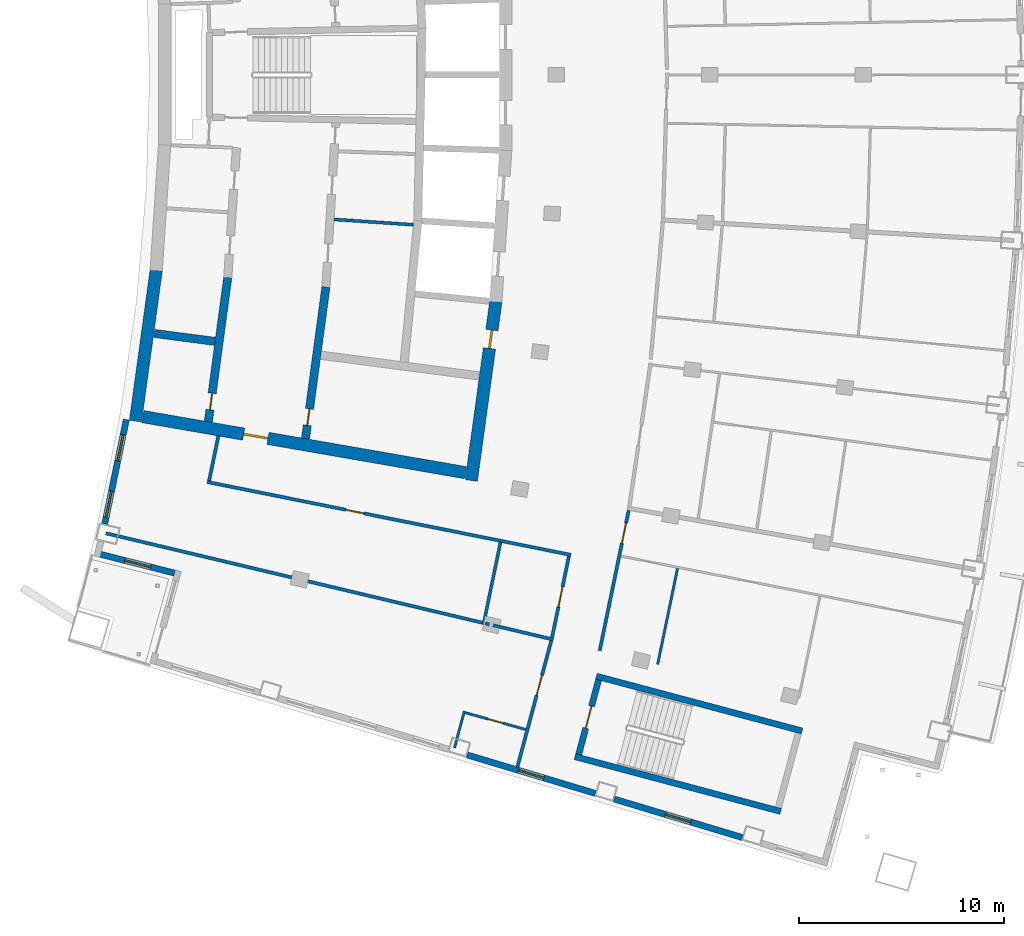
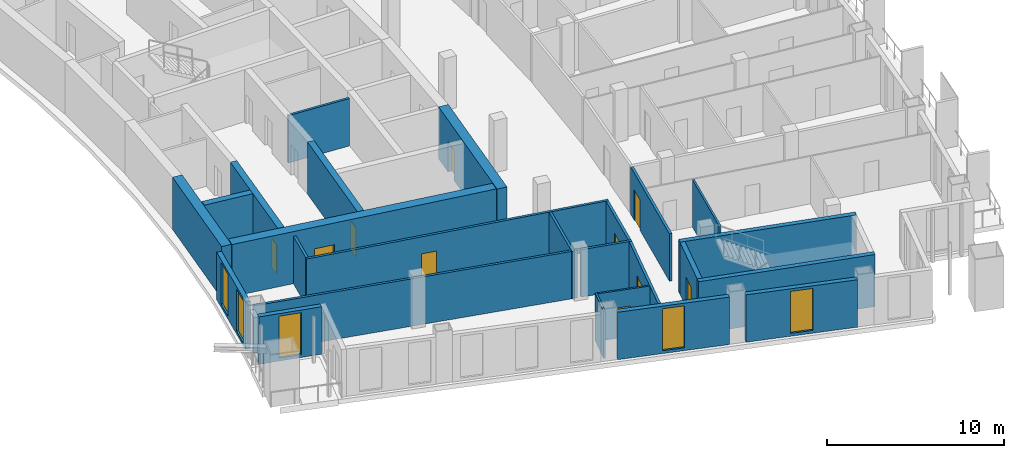
# One storey, part 9 of 19: 26 walls, 10 doors, 5 windows, 15 openings.
"""IFC4 building model written with IfcOpenShell, lengths in metres."""

from ifc_helpers import new_model, si_unit, direction, frame, frame_2d, origin, place, context, subcontext, project, spatial, rectangle, extrude, material, layer, layer_set, type_object, element, fill, save


model = new_model("IFC4")

# Units and contexts
model_context = context("Model", 3, precision=1e-05, world=origin(), true_north=direction((0.0, 1.0)))
body_context = subcontext(model_context, "Body", "Model", "MODEL_VIEW")
ifc_project = project(units=[si_unit("LENGTHUNIT", "METRE"), si_unit("AREAUNIT", "SQUARE_METRE"), si_unit("VOLUMEUNIT", "CUBIC_METRE"), si_unit("PLANEANGLEUNIT", "RADIAN"), si_unit("MASSUNIT", "GRAM", prefix="KILO")], contexts=[model_context])

# Site, building, storey
site_placement = place(None, origin())
site = spatial("IfcSite", under=ifc_project, at=site_placement, CompositionType="ELEMENT")
building_placement = place(site_placement, origin())
building = spatial("IfcBuilding", under=site, at=building_placement, Name="Alderwake Tower", CompositionType="ELEMENT")
storey_placement = place(building_placement, frame((0.0, 0.0, 203.60009765625)))
storey = spatial("IfcBuildingStorey", under=building, at=storey_placement, Name="L50", CompositionType="ELEMENT", Elevation=203.60009765625)

# Walls
ifc_material_1 = material(Name="Gypsum shaft wall system, rated")
ifc_layer_1 = layer(ifc_material_1, 0.14990234375)
ifc_layer_set_1 = layer_set([ifc_layer_1], Name="Core room partition 150")
wall_type_1 = type_object("IfcWallType", Name="Core room partition 150", PredefinedType="PARTITIONING", material=ifc_layer_set_1)
wall_1_placement = place(storey_placement, frame((24.990234375, 53.96142578125, 0.0), z_axis=(0.0, 0.0, 1.0), x_axis=(0.997758824467, -0.06691284031, 0.0)))
element("IfcWall", 1, at=wall_1_placement, inside=storey, type_object=wall_type_1, Name="CW/L50/PR-70_+86", PredefinedType="PARTITIONING", context=body_context, shape_type="SweptSolid", body=[
    extrude(rectangle(XDim=3.86767578125, YDim=0.14990234375, at=frame_2d((1.933837890625, 0.0))), origin(), (0.0, 0.0, 1.0), 3.27978515625),
])
ifc_material_2 = material(Name="Concrete C70/85", Category="concrete")
ifc_layer_2 = layer(ifc_material_2, 0.60009765625)
ifc_layer_set_2 = layer_set([ifc_layer_2], Name="Core wall outer 600 C70-85")
wall_type_2 = type_object("IfcWallType", Name="Core wall outer 600 C70-85", PredefinedType="SHEAR", material=ifc_layer_set_2)
wall_2_placement = place(storey_placement, frame((15.321533203125, 44.146240234375, 0.0), z_axis=(0.0, 0.0, 1.0), x_axis=(0.136316498814, 0.990665338119, 0.0)))
element("IfcWall", 2, at=wall_2_placement, inside=storey, type_object=wall_type_2, Name="Core wall CW.037", PredefinedType="SHEAR", context=body_context, shape_type="SweptSolid", body=[
    extrude(rectangle(XDim=7.41455078125, YDim=0.60009765625, at=frame_2d((3.707275390625, 0.0))), origin(), (0.0, 0.0, 1.0), 3.599853515625),
])

# Wall, opening, door
wall_3_placement = place(storey_placement, frame((32.862548828125, 49.967529296875, 0.0), z_axis=(0.0, 0.0, 1.0), x_axis=(-0.135856583698, -0.990728514108, 0.0)))
wall_3 = element("IfcWall", 3, at=wall_3_placement, inside=storey, type_object=wall_type_2, Name="Core wall CW.017", PredefinedType="SHEAR", context=body_context, shape_type="SweptSolid", body=[
    extrude(rectangle(XDim=8.79296875, YDim=0.60009765625, at=frame_2d((4.396484375, 0.0))), origin(), (0.0, 0.0, 1.0), 3.599853515625),
])
opening_1_placement = place(wall_3_placement, frame((1.40380859375, 0.0, 0.0)))
opening_1 = element("IfcOpeningElement", 4, at=opening_1_placement, cuts=wall_3, Name="Opening C050", PredefinedType="OPENING", context=body_context, shape_type="SweptSolid", body=[
    extrude(rectangle(XDim=0.89990234375, YDim=2.10009765625, at=frame_2d((0.449951171875, 1.050048828125))), frame((0.0, 0.31005859375, 0.0), z_axis=(0.0, -1.0, 0.0), x_axis=(1.0, 0.0, 0.0)), (0.0, 0.0, 1.0), 0.6201171875),
])
ifc_material_3 = material(Name="Painted steel leaf", Category="steel")
door_type_1 = type_object("IfcDoorType", Name="Core room door 900", OperationType="SINGLE_SWING_LEFT", PredefinedType="DOOR", material=ifc_material_3)
door_1_placement = place(opening_1_placement, origin())
door_1 = element("IfcDoor", 5, at=door_1_placement, inside=storey, type_object=door_type_1, Name="Room door", OperationType="SINGLE_SWING_RIGHT", OverallHeight=2.10009765625, OverallWidth=0.89990234375, PredefinedType="DOOR", context=body_context, shape_type="SweptSolid", body=[
    extrude(rectangle(XDim=0.89990234375, YDim=2.10009765625, at=frame_2d((0.449951171875, 1.050048828125))), frame((0.0, 0.050048828125, 0.0), z_axis=(0.0, -1.0, 0.0), x_axis=(1.0, 0.0, 0.0)), (0.0, 0.0, 1.0), 0.10009765625),
])
fill(opening_1, door_1)

wall_4_placement = place(storey_placement, frame((31.386962890625, 41.63525390625, 0.0), z_axis=(0.0, 0.0, 1.0), x_axis=(-0.985223108003, 0.171275881127, 0.0)))
wall_4 = element("IfcWall", 6, at=wall_4_placement, inside=storey, type_object=wall_type_2, Name="Core wall CW.072", PredefinedType="SHEAR", context=body_context, shape_type="SweptSolid", body=[
    extrude(rectangle(XDim=15.937744140625, YDim=0.60009765625, at=frame_2d((7.96875, 0.0))), origin(), (0.0, 0.0, 1.0), 3.599853515625),
])
opening_2_placement = place(wall_4_placement, frame((9.757568359375, 0.0, 0.0)))
opening_2 = element("IfcOpeningElement", 7, at=opening_2_placement, cuts=wall_4, Name="Opening C003", PredefinedType="OPENING", context=body_context, shape_type="SweptSolid", body=[
    extrude(rectangle(XDim=1.199951171875, YDim=2.10009765625, at=frame_2d((0.60009765625, 1.050048828125))), frame((0.0, 0.31005859375, 0.0), z_axis=(0.0, -1.0, 0.0), x_axis=(1.0, 0.0, 0.0)), (0.0, 0.0, 1.0), 0.6201171875),
])
ifc_material_4 = material(Name="Steel-framed fire door leaf", Category="steel")
door_type_2 = type_object("IfcDoorType", Name="Core lobby exit door 1200 fire-rated", OperationType="SINGLE_SWING_LEFT", PredefinedType="DOOR", material=ifc_material_4)
door_2_placement = place(opening_2_placement, origin())
door_2 = element("IfcDoor", 8, at=door_2_placement, inside=storey, type_object=door_type_2, Name="Lobby door", OperationType="SINGLE_SWING_LEFT", OverallHeight=2.10009765625, OverallWidth=1.199951171875, PredefinedType="DOOR", context=body_context, shape_type="SweptSolid", body=[
    extrude(rectangle(XDim=1.199951171875, YDim=2.10009765625, at=frame_2d((0.60009765625, 1.050048828125))), frame((0.0, 0.050048828125, 0.0), z_axis=(0.0, -1.0, 0.0), x_axis=(1.0, 0.0, 0.0)), (0.0, 0.0, 1.0), 0.10009765625),
])
fill(opening_2, door_2)

ifc_material_5 = material(Name="Concrete C70/85", Category="concrete")
ifc_layer_3 = layer(ifc_material_5, 0.39990234375)
ifc_layer_set_3 = layer_set([ifc_layer_3], Name="Core wall spine 400 C70-85")
wall_type_3 = type_object("IfcWallType", Name="Core wall spine 400 C70-85", PredefinedType="SHEAR", material=ifc_layer_set_3)
wall_5_placement = place(storey_placement, frame((19.814697265625, 51.143798828125, 0.0), z_axis=(0.0, 0.0, 1.0), x_axis=(-0.133333838703, -0.991071181831, 0.0)))
wall_5 = element("IfcWall", 9, at=wall_5_placement, inside=storey, type_object=wall_type_3, Name="Core wall CW.033", PredefinedType="SHEAR", context=body_context, shape_type="SweptSolid", body=[
    extrude(rectangle(XDim=7.078857421875, YDim=0.39990234375, at=frame_2d((3.53955078125, 0.0))), origin(), (0.0, 0.0, 1.0), 3.599853515625),
])
opening_3_placement = place(wall_5_placement, frame((5.69677734375, 0.0, 0.0)))
opening_3 = element("IfcOpeningElement", 10, at=opening_3_placement, cuts=wall_5, Name="Opening C007", PredefinedType="OPENING", context=body_context, shape_type="SweptSolid", body=[
    extrude(rectangle(XDim=0.800048828125, YDim=2.0, at=frame_2d((0.39990234375, 1.0))), frame((0.0, 0.2099609375, 0.0), z_axis=(0.0, -1.0, 0.0), x_axis=(1.0, 0.0, 0.0)), (0.0, 0.0, 1.0), 0.419921875),
])
ifc_material_6 = material(Name="Painted steel leaf, rated", Category="steel")
door_type_3 = type_object("IfcDoorType", Name="Riser access door 800", OperationType="SINGLE_SWING_LEFT", PredefinedType="DOOR", material=ifc_material_6)
door_3_placement = place(opening_3_placement, origin())
door_3 = element("IfcDoor", 11, at=door_3_placement, inside=storey, type_object=door_type_3, Name="Riser access door", OperationType="SINGLE_SWING_LEFT", OverallHeight=2.0, OverallWidth=0.800048828125, PredefinedType="DOOR", context=body_context, shape_type="SweptSolid", body=[
    extrude(rectangle(XDim=0.800048828125, YDim=2.0, at=frame_2d((0.39990234375, 1.0))), frame((0.0, 0.02490234375, 0.0), z_axis=(0.0, -1.0, 0.0), x_axis=(1.0, 0.0, 0.0)), (0.0, 0.0, 1.0), 0.050048828125),
])
fill(opening_3, door_3)

wall_6_placement = place(storey_placement, frame((23.597412109375, 43.29248046875, 0.0), z_axis=(0.0, 0.0, 1.0), x_axis=(0.133499326361, 0.99104890387, 0.0)))
wall_6 = element("IfcWall", 12, at=wall_6_placement, inside=storey, type_object=wall_type_3, Name="Core wall CW.047", PredefinedType="SHEAR", context=body_context, shape_type="SweptSolid", body=[
    extrude(rectangle(XDim=7.44677734375, YDim=0.39990234375, at=frame_2d((3.723388671875, 0.0))), origin(), (0.0, 0.0, 1.0), 3.599853515625),
])
opening_4_placement = place(wall_6_placement, frame((0.65771484375, 0.0, 0.0)))
opening_4 = element("IfcOpeningElement", 13, at=opening_4_placement, cuts=wall_6, Name="Opening C014", PredefinedType="OPENING", context=body_context, shape_type="SweptSolid", body=[
    extrude(rectangle(XDim=0.800048828125, YDim=2.0, at=frame_2d((0.39990234375, 1.0))), frame((0.0, 0.2099609375, 0.0), z_axis=(0.0, -1.0, 0.0), x_axis=(1.0, 0.0, 0.0)), (0.0, 0.0, 1.0), 0.419921875),
])
door_4_placement = place(opening_4_placement, origin())
door_4 = element("IfcDoor", 14, at=door_4_placement, inside=storey, type_object=door_type_3, Name="Riser access door", OperationType="SINGLE_SWING_RIGHT", OverallHeight=2.0, OverallWidth=0.800048828125, PredefinedType="DOOR", context=body_context, shape_type="SweptSolid", body=[
    extrude(rectangle(XDim=0.800048828125, YDim=2.0, at=frame_2d((0.39990234375, 1.0))), frame((0.0, 0.02490234375, 0.0), z_axis=(0.0, -1.0, 0.0), x_axis=(1.0, 0.0, 0.0)), (0.0, 0.0, 1.0), 0.050048828125),
])
fill(opening_4, door_4)

# Walls
wall_7_placement = place(storey_placement, frame((16.24169921875, 48.412353515625, 0.0), z_axis=(0.0, 0.0, 1.0), x_axis=(0.991548658387, -0.129735338481, 0.0)))
element("IfcWall", 15, at=wall_7_placement, inside=storey, type_object=wall_type_3, Name="Core wall CW.067", PredefinedType="SHEAR", context=body_context, shape_type="SweptSolid", body=[
    extrude(rectangle(XDim=2.97705078125, YDim=0.39990234375, at=frame_2d((1.488525390625, 0.0))), origin(), (0.0, 0.0, 1.0), 3.599853515625),
])
ifc_material_7 = material(Name="Concrete C70/85", Category="concrete")
ifc_layer_4 = layer(ifc_material_7, 0.300048828125)
ifc_layer_set_4 = layer_set([ifc_layer_4], Name="Core wall stair enclosure 300 C70-85")
wall_type_4 = type_object("IfcWallType", Name="Core wall stair enclosure 300 C70-85", PredefinedType="SHEAR", material=ifc_layer_set_4)
for number, where, z_axis, x_axis, name in (
    (16, (37.75390625, 31.731201171875, 0.0), (0.0, 0.0, 1.0), (0.966309214305, -0.257383958996, 0.0), "Core wall CW.086"),
    (17, (36.71142578125, 27.817626953125, 0.0), (0.0, 0.0, 1.0), (0.966309214305, -0.257383958996, 0.0), "Core wall CW.088"),
):
    element("IfcWall", number, at=place(storey_placement, frame(where, z_axis=z_axis, x_axis=x_axis)), inside=storey, type_object=wall_type_4, Name=name, PredefinedType="SHEAR", context=body_context, shape_type="SweptSolid", body=[
        extrude(rectangle(XDim=10.360107421875, YDim=0.300048828125, at=frame_2d((5.18017578125, 0.0))), origin(), (0.0, 0.0, 1.0), 3.599853515625),
    ])

# Wall, opening, door
wall_8_placement = place(storey_placement, frame((36.89501953125, 27.923828125, 0.0), z_axis=(0.0, 0.0, 1.0), x_axis=(0.257350630826, 0.966318090907, 0.0)))
wall_8 = element("IfcWall", 18, at=wall_8_placement, inside=storey, type_object=wall_type_4, Name="Core wall CW.087", PredefinedType="SHEAR", context=body_context, shape_type="SweptSolid", body=[
    extrude(rectangle(XDim=3.75, YDim=0.300048828125, at=frame_2d((1.875, 0.0))), origin(), (0.0, 0.0, 1.0), 3.599853515625),
])
opening_5_placement = place(wall_8_placement, frame((1.324951171875, 0.0, 0.0)))
opening_5 = element("IfcOpeningElement", 19, at=opening_5_placement, cuts=wall_8, Name="Opening C065", PredefinedType="OPENING", context=body_context, shape_type="SweptSolid", body=[
    extrude(rectangle(XDim=1.10009765625, YDim=2.10009765625, at=frame_2d((0.550048828125, 1.050048828125))), frame((0.0, 0.159912109375, 0.0), z_axis=(0.0, -1.0, 0.0), x_axis=(1.0, 0.0, 0.0)), (0.0, 0.0, 1.0), 0.320068359375),
])
ifc_material_8 = material(Name="Steel-framed fire door leaf", Category="steel")
door_type_4 = type_object("IfcDoorType", Name="Core stair door 1100 fire-rated", OperationType="SINGLE_SWING_LEFT", PredefinedType="DOOR", material=ifc_material_8)
door_5_placement = place(opening_5_placement, origin())
door_5 = element("IfcDoor", 20, at=door_5_placement, inside=storey, type_object=door_type_4, Name="Stair door", OperationType="SINGLE_SWING_LEFT", OverallHeight=2.10009765625, OverallWidth=1.10009765625, PredefinedType="DOOR", context=body_context, shape_type="SweptSolid", body=[
    extrude(rectangle(XDim=1.10009765625, YDim=2.10009765625, at=frame_2d((0.550048828125, 1.050048828125))), frame((0.0, 0.02490234375, 0.0), z_axis=(0.0, -1.0, 0.0), x_axis=(1.0, 0.0, 0.0)), (0.0, 0.0, 1.0), 0.050048828125),
])
fill(opening_5, door_5)

# Wall
ifc_material_9 = material(Name="Gypsum board on metal studs, rated")
ifc_layer_5 = layer(ifc_material_9, 0.159912109375)
ifc_layer_set_5 = layer_set([ifc_layer_5], Name="Corridor wall 160")
wall_type_5 = type_object("IfcWallType", Name="Corridor wall 160", PredefinedType="PARTITIONING", material=ifc_layer_set_5)
wall_9_placement = place(storey_placement, frame((13.884033203125, 38.68798828125, 0.0), z_axis=(0.0, 0.0, 1.0), x_axis=(0.972897690171, -0.231235993004, 0.0)))
element("IfcWall", 21, at=wall_9_placement, inside=storey, type_object=wall_type_5, Name="WL/L50/W08", PredefinedType="PARTITIONING", context=body_context, shape_type="SweptSolid", body=[
    extrude(rectangle(XDim=18.8271484375, YDim=0.159912109375, at=frame_2d((9.41357421875, 0.0))), origin(), (0.0, 0.0, 1.0), 3.27978515625),
])

# Wall, opening, door
wall_10_placement = place(storey_placement, frame((36.513427734375, 37.63427734375, 0.0), z_axis=(0.0, 0.0, 1.0), x_axis=(-0.980470254867, 0.1966674333, 0.0)))
wall_10 = element("IfcWall", 22, at=wall_10_placement, inside=storey, type_object=wall_type_5, Name="WL/L50/W10", PredefinedType="PARTITIONING", context=body_context, shape_type="SweptSolid", body=[
    extrude(rectangle(XDim=18.053466796875, YDim=0.159912109375, at=frame_2d((9.02685546875, 0.0))), origin(), (0.0, 0.0, 1.0), 3.27978515625),
])
opening_6_placement = place(wall_10_placement, frame((10.277099609375, 0.0, 0.0)))
opening_6 = element("IfcOpeningElement", 23, at=opening_6_placement, cuts=wall_10, Name="Opening R14-SBS1", PredefinedType="OPENING", context=body_context, shape_type="SweptSolid", body=[
    extrude(rectangle(XDim=0.89990234375, YDim=2.10009765625, at=frame_2d((0.449951171875, 1.050048828125))), frame((0.0, 0.08984375, 0.0), z_axis=(0.0, -1.0, 0.0), x_axis=(1.0, 0.0, 0.0)), (0.0, 0.0, 1.0), 0.179931640625),
])
ifc_material_10 = material(Name="Painted timber leaf", Category="wood")
door_type_5 = type_object("IfcDoorType", Name="Room door 900", OperationType="SINGLE_SWING_LEFT", PredefinedType="DOOR", material=ifc_material_10)
door_6_placement = place(opening_6_placement, origin())
door_6 = element("IfcDoor", 24, at=door_6_placement, inside=storey, type_object=door_type_5, Name="DR/L50/SBS1", OperationType="SINGLE_SWING_LEFT", OverallHeight=2.10009765625, OverallWidth=0.89990234375, PredefinedType="DOOR", context=body_context, shape_type="SweptSolid", body=[
    extrude(rectangle(XDim=0.89990234375, YDim=2.10009765625, at=frame_2d((0.449951171875, 1.050048828125))), frame((0.0, 0.02490234375, 0.0), z_axis=(0.0, -1.0, 0.0), x_axis=(1.0, 0.0, 0.0)), (0.0, 0.0, 1.0), 0.050048828125),
])
fill(opening_6, door_6)

# Walls
wall_11_placement = place(storey_placement, frame((19.35888671875, 43.430908203125, 0.0), z_axis=(0.0, 0.0, 1.0), x_axis=(-0.202554916658, -0.979270905183, 0.0)))
element("IfcWall", 25, at=wall_11_placement, inside=storey, type_object=wall_type_5, Name="WL/L50/W11", PredefinedType="PARTITIONING", context=body_context, shape_type="SweptSolid", body=[
    extrude(rectangle(XDim=2.229736328125, YDim=0.159912109375, at=frame_2d((1.11474609375, 0.0))), origin(), (0.0, 0.0, 1.0), 3.27978515625),
])
wall_12_placement = place(storey_placement, frame((32.343994140625, 34.300048828125, 0.0), z_axis=(0.0, 0.0, 1.0), x_axis=(0.974391195695, -0.224859506699, 0.0)))
element("IfcWall", 26, at=wall_12_placement, inside=storey, type_object=wall_type_5, Name="WL/L50/W13", PredefinedType="PARTITIONING", context=body_context, shape_type="SweptSolid", body=[
    extrude(rectangle(XDim=0.205322265625, YDim=0.159912109375, at=frame_2d((0.1025390625, 0.0))), origin(), (0.0, 0.0, 1.0), 3.27978515625),
])
wall_13_placement = place(storey_placement, frame((32.725341796875, 34.210205078125, 0.0), z_axis=(0.0, 0.0, 1.0), x_axis=(0.972838360224, -0.231485474442, 0.0)))
element("IfcWall", 27, at=wall_13_placement, inside=storey, type_object=wall_type_5, Name="WL/L50/W14", PredefinedType="PARTITIONING", context=body_context, shape_type="SweptSolid", body=[
    extrude(rectangle(XDim=3.01416015625, YDim=0.159912109375, at=frame_2d((1.507080078125, 0.0))), origin(), (0.0, 0.0, 1.0), 3.27978515625),
])

# Wall, opening, door
wall_14_placement = place(storey_placement, frame((33.912109375, 27.321044921875, 0.0), z_axis=(0.0, 0.0, 1.0), x_axis=(0.259370874835, 0.965777794986, 0.0)))
wall_14 = element("IfcWall", 28, at=wall_14_placement, inside=storey, type_object=wall_type_5, Name="WL/L50/W16", PredefinedType="PARTITIONING", context=body_context, shape_type="SweptSolid", body=[
    extrude(rectangle(XDim=6.349853515625, YDim=0.159912109375, at=frame_2d((3.1748046875, 0.0))), origin(), (0.0, 0.0, 1.0), 3.27978515625),
])
opening_7_placement = place(wall_14_placement, frame((3.603515625, 0.0, 0.0)))
opening_7 = element("IfcOpeningElement", 29, at=opening_7_placement, cuts=wall_14, Name="Opening R14-U09.1", PredefinedType="OPENING", context=body_context, shape_type="SweptSolid", body=[
    extrude(rectangle(XDim=1.0, YDim=2.10009765625, at=frame_2d((0.5, 1.050048828125))), frame((0.0, 0.08984375, 0.0), z_axis=(0.0, -1.0, 0.0), x_axis=(1.0, 0.0, 0.0)), (0.0, 0.0, 1.0), 0.179931640625),
])
ifc_material_11 = material(Name="Solid timber leaf in steel frame", Category="steel")
door_type_6 = type_object("IfcDoorType", Name="Flat entrance door 1000 fire-rated", OperationType="SINGLE_SWING_LEFT", PredefinedType="DOOR", material=ifc_material_11)
door_7_placement = place(opening_7_placement, origin())
door_7 = element("IfcDoor", 30, at=door_7_placement, inside=storey, type_object=door_type_6, Name="DR/L50/U09.1", OperationType="SINGLE_SWING_LEFT", OverallHeight=2.10009765625, OverallWidth=1.0, PredefinedType="DOOR", context=body_context, shape_type="SweptSolid", body=[
    extrude(rectangle(XDim=1.0, YDim=2.10009765625, at=frame_2d((0.5, 1.050048828125))), frame((0.0, 0.02490234375, 0.0), z_axis=(0.0, -1.0, 0.0), x_axis=(1.0, 0.0, 0.0)), (0.0, 0.0, 1.0), 0.050048828125),
])
fill(opening_7, door_7)

wall_15_placement = place(storey_placement, frame((35.59619140625, 33.609375, 0.0), z_axis=(0.0, 0.0, 1.0), x_axis=(0.203245920818, 0.979127721838, 0.0)))
wall_15 = element("IfcWall", 31, at=wall_15_placement, inside=storey, type_object=wall_type_5, Name="WL/L50/W18", PredefinedType="PARTITIONING", context=body_context, shape_type="SweptSolid", body=[
    extrude(rectangle(XDim=4.046875, YDim=0.159912109375, at=frame_2d((2.0234375, 0.0))), origin(), (0.0, 0.0, 1.0), 3.27978515625),
])
opening_8_placement = place(wall_15_placement, frame((1.5234375, 0.0, 0.0)))
opening_8 = element("IfcOpeningElement", 32, at=opening_8_placement, cuts=wall_15, Name="Opening R14-SBS2", PredefinedType="OPENING", context=body_context, shape_type="SweptSolid", body=[
    extrude(rectangle(XDim=1.0, YDim=2.10009765625, at=frame_2d((0.5, 1.050048828125))), frame((0.0, 0.08984375, 0.0), z_axis=(0.0, -1.0, 0.0), x_axis=(1.0, 0.0, 0.0)), (0.0, 0.0, 1.0), 0.179931640625),
])
ifc_material_12 = material(Name="Steel-framed fire door leaf", Category="steel")
door_type_7 = type_object("IfcDoorType", Name="Plant room door 1000 fire-rated", OperationType="SINGLE_SWING_LEFT", PredefinedType="DOOR", material=ifc_material_12)
door_8_placement = place(opening_8_placement, origin())
door_8 = element("IfcDoor", 33, at=door_8_placement, inside=storey, type_object=door_type_7, Name="DR/L50/SBS2", OperationType="SINGLE_SWING_LEFT", OverallHeight=2.10009765625, OverallWidth=1.0, PredefinedType="DOOR", context=body_context, shape_type="SweptSolid", body=[
    extrude(rectangle(XDim=1.0, YDim=2.10009765625, at=frame_2d((0.5, 1.050048828125))), frame((0.0, 0.02490234375, 0.0), z_axis=(0.0, -1.0, 0.0), x_axis=(1.0, 0.0, 0.0)), (0.0, 0.0, 1.0), 0.050048828125),
])
fill(opening_8, door_8)

wall_16_placement = place(storey_placement, frame((39.32763671875, 39.799072265625, 0.0), z_axis=(0.0, 0.0, 1.0), x_axis=(-0.202466556983, -0.979289177569, 0.0)))
wall_16 = element("IfcWall", 34, at=wall_16_placement, inside=storey, type_object=wall_type_5, Name="WL/L50/W20", PredefinedType="PARTITIONING", context=body_context, shape_type="SweptSolid", body=[
    extrude(rectangle(XDim=6.96728515625, YDim=0.159912109375, at=frame_2d((3.483642578125, 0.0))), origin(), (0.0, 0.0, 1.0), 3.27978515625),
])
opening_9_placement = place(wall_16_placement, frame((0.62744140625, 0.0, 0.0)))
opening_9 = element("IfcOpeningElement", 35, at=opening_9_placement, cuts=wall_16, Name="Opening R14-U03.2", PredefinedType="OPENING", context=body_context, shape_type="SweptSolid", body=[
    extrude(rectangle(XDim=1.0, YDim=2.10009765625, at=frame_2d((0.5, 1.050048828125))), frame((0.0, 0.08984375, 0.0), z_axis=(0.0, -1.0, 0.0), x_axis=(1.0, 0.0, 0.0)), (0.0, 0.0, 1.0), 0.179931640625),
])
door_9_placement = place(opening_9_placement, origin())
door_9 = element("IfcDoor", 36, at=door_9_placement, inside=storey, type_object=door_type_6, Name="DR/L50/U03.2", OperationType="SINGLE_SWING_LEFT", OverallHeight=2.10009765625, OverallWidth=1.0, PredefinedType="DOOR", context=body_context, shape_type="SweptSolid", body=[
    extrude(rectangle(XDim=1.0, YDim=2.10009765625, at=frame_2d((0.5, 1.050048828125))), frame((0.0, 0.02490234375, 0.0), z_axis=(0.0, -1.0, 0.0), x_axis=(1.0, 0.0, 0.0)), (0.0, 0.0, 1.0), 0.050048828125),
])
fill(opening_9, door_9)

# Wall, openings, windows
ifc_material_13 = material(Name="Precast concrete C50/60 spandrel panel", Category="concrete")
ifc_layer_6 = layer(ifc_material_13, 0.300048828125)
ifc_layer_set_6 = layer_set([ifc_layer_6], Name="External wall EW1 Precast concrete C50/60 spandrel")
wall_type_6 = type_object("IfcWallType", Name="External wall EW1 Precast concrete C50/60 spandrel", PredefinedType="SOLIDWALL", material=ifc_layer_set_6)
wall_17_placement = place(storey_placement, frame((14.878173828125, 44.223388671875, 0.0), z_axis=(0.0, 0.0, 1.0), x_axis=(-0.202730149235, -0.979234643276, 0.0)))
wall_17 = element("IfcWall", 37, at=wall_17_placement, inside=storey, type_object=wall_type_6, Name="External wall 32", PredefinedType="SOLIDWALL", context=body_context, shape_type="SweptSolid", body=[
    extrude(rectangle(XDim=5.185546875, YDim=0.300048828125, at=frame_2d((2.5927734375, 0.0))), origin(), (0.0, 0.0, 1.0), 3.27978515625),
])
opening_10_placement = place(wall_17_placement, frame((0.75634765625, 0.0, 0.199951171875)))
opening_10 = element("IfcOpeningElement", 38, at=opening_10_placement, cuts=wall_17, Name="Opening W1", PredefinedType="OPENING", context=body_context, shape_type="SweptSolid", body=[
    extrude(rectangle(XDim=1.300048828125, YDim=2.89990234375, at=frame_2d((0.64990234375, 1.449951171875))), frame((0.0, 0.159912109375, 0.0), z_axis=(0.0, -1.0, 0.0), x_axis=(1.0, 0.0, 0.0)), (0.0, 0.0, 1.0), 0.320068359375),
])
opening_11_placement = place(wall_17_placement, frame((3.569091796875, 0.0, 0.199951171875)))
opening_11 = element("IfcOpeningElement", 39, at=opening_11_placement, cuts=wall_17, Name="Opening W1", PredefinedType="OPENING", context=body_context, shape_type="SweptSolid", body=[
    extrude(rectangle(XDim=1.300048828125, YDim=2.89990234375, at=frame_2d((0.64990234375, 1.449951171875))), frame((0.0, 0.159912109375, 0.0), z_axis=(0.0, -1.0, 0.0), x_axis=(1.0, 0.0, 0.0)), (0.0, 0.0, 1.0), 0.320068359375),
])
ifc_material_14 = material(Name="Bronze tinted glass in aluminium frame", Category="aluminium")
window_type = type_object("IfcWindowType", Name="Window W1 tall fixed and vent", PartitioningType="DOUBLE_PANEL_VERTICAL", PredefinedType="WINDOW", material=ifc_material_14)
window_1_placement = place(opening_10_placement, origin())
window_1 = element("IfcWindow", 40, at=window_1_placement, inside=storey, type_object=window_type, Name="Window W1 tall fixed and vent", OverallHeight=2.89990234375, OverallWidth=1.300048828125, PartitioningType="DOUBLE_PANEL_VERTICAL", PredefinedType="WINDOW", context=body_context, shape_type="SweptSolid", body=[
    extrude(rectangle(XDim=1.300048828125, YDim=2.89990234375, at=frame_2d((0.64990234375, 1.449951171875))), frame((0.0, 0.030029296875, 0.0), z_axis=(0.0, -1.0, 0.0), x_axis=(1.0, 0.0, 0.0)), (0.0, 0.0, 1.0), 0.06005859375),
])
fill(opening_10, window_1)
window_2_placement = place(opening_11_placement, origin())
window_2 = element("IfcWindow", 41, at=window_2_placement, inside=storey, type_object=window_type, Name="Window W1 tall fixed and vent", OverallHeight=2.89990234375, OverallWidth=1.300048828125, PartitioningType="DOUBLE_PANEL_VERTICAL", PredefinedType="WINDOW", context=body_context, shape_type="SweptSolid", body=[
    extrude(rectangle(XDim=1.300048828125, YDim=2.89990234375, at=frame_2d((0.64990234375, 1.449951171875))), frame((0.0, 0.030029296875, 0.0), z_axis=(0.0, -1.0, 0.0), x_axis=(1.0, 0.0, 0.0)), (0.0, 0.0, 1.0), 0.06005859375),
])
fill(opening_11, window_2)

# Wall, opening, window
ifc_material_15 = material(Name="Bronze metal cladding on lightweight framing")
ifc_layer_7 = layer(ifc_material_15, 0.300048828125)
ifc_layer_set_7 = layer_set([ifc_layer_7], Name="External wall EW2 bronze metal cladding")
wall_type_7 = type_object("IfcWallType", Name="External wall EW2 bronze metal cladding", PredefinedType="SOLIDWALL", material=ifc_layer_set_7)
wall_18_placement = place(storey_placement, frame((13.633056640625, 37.660400390625, 0.0), z_axis=(0.0, 0.0, 1.0), x_axis=(0.969417366605, -0.245417948254, 0.0)))
wall_18 = element("IfcWall", 42, at=wall_18_placement, inside=storey, type_object=wall_type_7, Name="External wall 2", PredefinedType="SOLIDWALL", context=body_context, shape_type="SweptSolid", body=[
    extrude(rectangle(XDim=3.70556640625, YDim=0.300048828125, at=frame_2d((1.852783203125, 0.0))), origin(), (0.0, 0.0, 1.0), 3.27978515625),
])
opening_12_placement = place(wall_18_placement, frame((1.202880859375, 0.0, 0.199951171875)))
opening_12 = element("IfcOpeningElement", 43, at=opening_12_placement, cuts=wall_18, Name="Opening W1", PredefinedType="OPENING", context=body_context, shape_type="SweptSolid", body=[
    extrude(rectangle(XDim=1.300048828125, YDim=2.89990234375, at=frame_2d((0.64990234375, 1.449951171875))), frame((0.0, 0.159912109375, 0.0), z_axis=(0.0, -1.0, 0.0), x_axis=(1.0, 0.0, 0.0)), (0.0, 0.0, 1.0), 0.320068359375),
])
window_3_placement = place(opening_12_placement, origin())
window_3 = element("IfcWindow", 44, at=window_3_placement, inside=storey, type_object=window_type, Name="Window W1 tall fixed and vent", OverallHeight=2.89990234375, OverallWidth=1.300048828125, PartitioningType="DOUBLE_PANEL_VERTICAL", PredefinedType="WINDOW", context=body_context, shape_type="SweptSolid", body=[
    extrude(rectangle(XDim=1.300048828125, YDim=2.89990234375, at=frame_2d((0.64990234375, 1.449951171875))), frame((0.0, 0.030029296875, 0.0), z_axis=(0.0, -1.0, 0.0), x_axis=(1.0, 0.0, 0.0)), (0.0, 0.0, 1.0), 0.06005859375),
])
fill(opening_12, window_3)

wall_19_placement = place(storey_placement, frame((31.465087890625, 27.900390625, 0.0), z_axis=(0.0, 0.0, 1.0), x_axis=(0.957767459143, -0.287543899616, 0.0)))
wall_19 = element("IfcWall", 45, at=wall_19_placement, inside=storey, type_object=wall_type_7, Name="External wall 6", PredefinedType="SOLIDWALL", context=body_context, shape_type="SweptSolid", body=[
    extrude(rectangle(XDim=6.51318359375, YDim=0.300048828125, at=frame_2d((3.256591796875, 0.0))), origin(), (0.0, 0.0, 1.0), 3.27978515625),
])
opening_13_placement = place(wall_19_placement, frame((2.6064453125, 0.0, 0.199951171875)))
opening_13 = element("IfcOpeningElement", 46, at=opening_13_placement, cuts=wall_19, Name="Opening W1", PredefinedType="OPENING", context=body_context, shape_type="SweptSolid", body=[
    extrude(rectangle(XDim=1.300048828125, YDim=2.89990234375, at=frame_2d((0.64990234375, 1.449951171875))), frame((0.0, 0.159912109375, 0.0), z_axis=(0.0, -1.0, 0.0), x_axis=(1.0, 0.0, 0.0)), (0.0, 0.0, 1.0), 0.320068359375),
])
window_4_placement = place(opening_13_placement, origin())
window_4 = element("IfcWindow", 47, at=window_4_placement, inside=storey, type_object=window_type, Name="Window W1 tall fixed and vent", OverallHeight=2.89990234375, OverallWidth=1.300048828125, PartitioningType="DOUBLE_PANEL_VERTICAL", PredefinedType="WINDOW", context=body_context, shape_type="SweptSolid", body=[
    extrude(rectangle(XDim=1.300048828125, YDim=2.89990234375, at=frame_2d((0.64990234375, 1.449951171875))), frame((0.0, 0.030029296875, 0.0), z_axis=(0.0, -1.0, 0.0), x_axis=(1.0, 0.0, 0.0)), (0.0, 0.0, 1.0), 0.06005859375),
])
fill(opening_13, window_4)

wall_20_placement = place(storey_placement, frame((38.61669921875, 25.75341796875, 0.0), z_axis=(0.0, 0.0, 1.0), x_axis=(0.957764359699, -0.287554223219, 0.0)))
wall_20 = element("IfcWall", 48, at=wall_20_placement, inside=storey, type_object=wall_type_7, Name="External wall 7", PredefinedType="SOLIDWALL", context=body_context, shape_type="SweptSolid", body=[
    extrude(rectangle(XDim=6.512939453125, YDim=0.300048828125, at=frame_2d((3.25634765625, 0.0))), origin(), (0.0, 0.0, 1.0), 3.27978515625),
])
opening_14_placement = place(wall_20_placement, frame((2.6064453125, 0.0, 0.199951171875)))
opening_14 = element("IfcOpeningElement", 49, at=opening_14_placement, cuts=wall_20, Name="Opening W1", PredefinedType="OPENING", context=body_context, shape_type="SweptSolid", body=[
    extrude(rectangle(XDim=1.300048828125, YDim=2.89990234375, at=frame_2d((0.64990234375, 1.449951171875))), frame((0.0, 0.159912109375, 0.0), z_axis=(0.0, -1.0, 0.0), x_axis=(1.0, 0.0, 0.0)), (0.0, 0.0, 1.0), 0.320068359375),
])
window_5_placement = place(opening_14_placement, origin())
window_5 = element("IfcWindow", 50, at=window_5_placement, inside=storey, type_object=window_type, Name="Window W1 tall fixed and vent", OverallHeight=2.89990234375, OverallWidth=1.300048828125, PartitioningType="DOUBLE_PANEL_VERTICAL", PredefinedType="WINDOW", context=body_context, shape_type="SweptSolid", body=[
    extrude(rectangle(XDim=1.300048828125, YDim=2.89990234375, at=frame_2d((0.64990234375, 1.449951171875))), frame((0.0, 0.030029296875, 0.0), z_axis=(0.0, -1.0, 0.0), x_axis=(1.0, 0.0, 0.0)), (0.0, 0.0, 1.0), 0.06005859375),
])
fill(opening_14, window_5)

# Walls
ifc_material_16 = material(Name="Gypsum shaft wall system, rated")
ifc_layer_8 = layer(ifc_material_16, 0.14990234375)
ifc_layer_set_8 = layer_set([ifc_layer_8], Name="Riser and shaft wall 150")
wall_type_8 = type_object("IfcWallType", Name="Riser and shaft wall 150", PredefinedType="PARTITIONING", material=ifc_layer_set_8)
wall_21_placement = place(storey_placement, frame((32.2578125, 34.23876953125, 0.0), z_axis=(0.0, 0.0, 1.0), x_axis=(0.202579923059, 0.979265732462, 0.0)))
element("IfcWall", 51, at=wall_21_placement, inside=storey, type_object=wall_type_8, Name="WL/L50/W07", PredefinedType="PARTITIONING", context=body_context, shape_type="SweptSolid", body=[
    extrude(rectangle(XDim=4.086669921875, YDim=0.14990234375, at=frame_2d((2.04345703125, 0.0))), origin(), (0.0, 0.0, 1.0), 3.27978515625),
])
ifc_material_17 = material(Name="Moisture resistant gypsum board on metal studs")
ifc_layer_9 = layer(ifc_material_17, 0.1201171875)
ifc_layer_set_9 = layer_set([ifc_layer_9], Name="Wet room partition 120")
wall_type_9 = type_object("IfcWallType", Name="Wet room partition 120", PredefinedType="PARTITIONING", material=ifc_layer_set_9)
wall_22_placement = place(storey_placement, frame((31.32958984375, 30.031005859375, 0.0), z_axis=(0.0, 0.0, 1.0), x_axis=(-0.259368447521, -0.965778446866, 0.0)))
element("IfcWall", 52, at=wall_22_placement, inside=storey, type_object=wall_type_9, Name="WL/L50/W29", PredefinedType="PARTITIONING", context=body_context, shape_type="SweptSolid", body=[
    extrude(rectangle(XDim=1.8525390625, YDim=0.1201171875, at=frame_2d((0.92626953125, 0.0))), origin(), (0.0, 0.0, 1.0), 3.27978515625),
])

# Wall, opening, door
wall_23_placement = place(storey_placement, frame((34.31787109375, 29.136474609375, 0.0), z_axis=(0.0, 0.0, 1.0), x_axis=(-0.963351881246, 0.268240848677, 0.0)))
wall_23 = element("IfcWall", 53, at=wall_23_placement, inside=storey, type_object=wall_type_9, Name="WL/L50/W31", PredefinedType="PARTITIONING", context=body_context, shape_type="SweptSolid", body=[
    extrude(rectangle(XDim=3.05810546875, YDim=0.1201171875, at=frame_2d((1.529052734375, 0.0))), origin(), (0.0, 0.0, 1.0), 3.27978515625),
])
opening_15_placement = place(wall_23_placement, frame((1.129150390625, 0.0, 0.0)))
opening_15 = element("IfcOpeningElement", 54, at=opening_15_placement, cuts=wall_23, Name="Opening R14-U09.2", PredefinedType="OPENING", context=body_context, shape_type="SweptSolid", body=[
    extrude(rectangle(XDim=0.800048828125, YDim=2.10009765625, at=frame_2d((0.39990234375, 1.050048828125))), frame((0.0, 0.070068359375, 0.0), z_axis=(0.0, -1.0, 0.0), x_axis=(1.0, 0.0, 0.0)), (0.0, 0.0, 1.0), 0.14013671875),
])
ifc_material_18 = material(Name="Painted timber leaf", Category="wood")
door_type_8 = type_object("IfcDoorType", Name="Bathroom door 800", OperationType="SINGLE_SWING_LEFT", PredefinedType="DOOR", material=ifc_material_18)
door_10_placement = place(opening_15_placement, origin())
door_10 = element("IfcDoor", 55, at=door_10_placement, inside=storey, type_object=door_type_8, Name="DR/L50/U09.2", OperationType="SINGLE_SWING_LEFT", OverallHeight=2.10009765625, OverallWidth=0.800048828125, PredefinedType="DOOR", context=body_context, shape_type="SweptSolid", body=[
    extrude(rectangle(XDim=0.800048828125, YDim=2.10009765625, at=frame_2d((0.39990234375, 1.050048828125))), frame((0.0, 0.02490234375, 0.0), z_axis=(0.0, -1.0, 0.0), x_axis=(1.0, 0.0, 0.0)), (0.0, 0.0, 1.0), 0.050048828125),
])
fill(opening_15, door_10)

# Wall
wall_24_placement = place(storey_placement, frame((40.737060546875, 32.303955078125, 0.0), z_axis=(0.0, 0.0, 1.0), x_axis=(0.202548156077, 0.979272303535, 0.0)))
element("IfcWall", 56, at=wall_24_placement, inside=storey, type_object=wall_type_9, Name="WL/L50/W32", PredefinedType="PARTITIONING", context=body_context, shape_type="SweptSolid", body=[
    extrude(rectangle(XDim=4.778076171875, YDim=0.1201171875, at=frame_2d((2.38916015625, 0.0))), origin(), (0.0, 0.0, 1.0), 3.27978515625),
])

save(model, "model.ifc")
